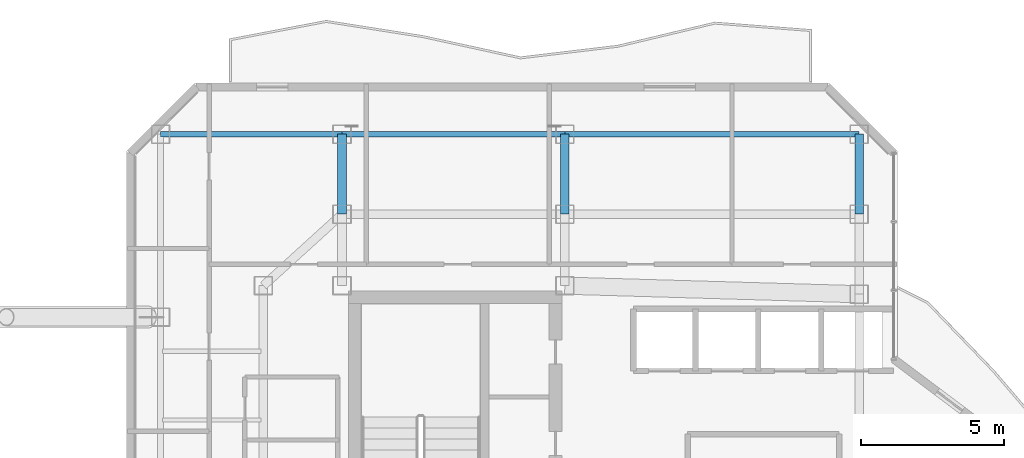
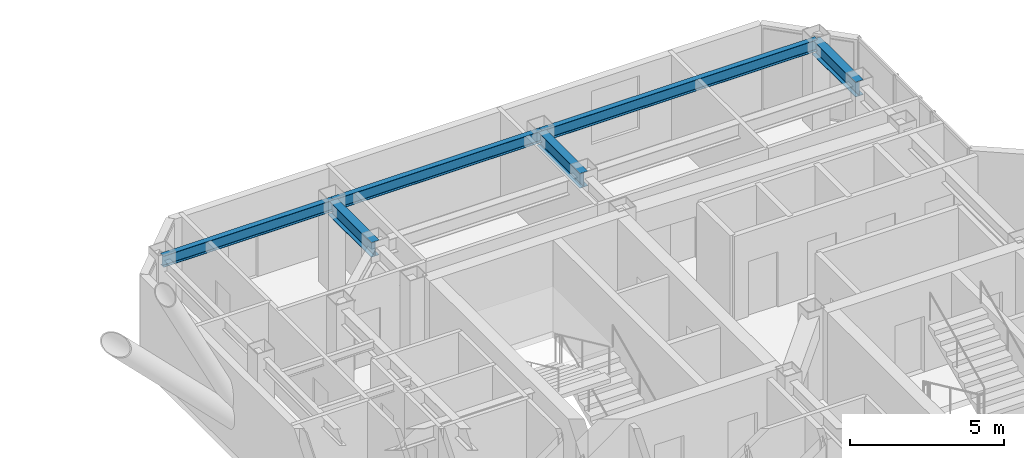
# One storey, part 12 of 21: 6 beams.
"""IFC4 building model written with IfcOpenShell, lengths in metres."""

from ifc_helpers import new_model, si_unit, direction, frame, origin, origin_2d, place, context, subcontext, project, spatial, i_section, extrude, material, material_profile, profile_set, type_object, element, save


model = new_model("IFC4")

# Units and contexts
model_context = context("Model", 3, precision=1e-05, world=origin(), true_north=direction((0.0, 1.0)))
body_context = subcontext(model_context, "Body", "Model", "MODEL_VIEW")
ifc_project = project(units=[si_unit("LENGTHUNIT", "METRE"), si_unit("AREAUNIT", "SQUARE_METRE"), si_unit("VOLUMEUNIT", "CUBIC_METRE"), si_unit("PLANEANGLEUNIT", "RADIAN"), si_unit("MASSUNIT", "GRAM", prefix="KILO")], contexts=[model_context])

# Site, building, storey
site_placement = place(None, origin())
site = spatial("IfcSite", under=ifc_project, at=site_placement, CompositionType="ELEMENT")
building_placement = place(site_placement, origin())
building = spatial("IfcBuilding", under=site, at=building_placement, Name="Hatsunagi Terrace Concourse", CompositionType="ELEMENT")
storey_placement = place(building_placement, frame((0.0, 0.0, 246.75)))
storey = spatial("IfcBuildingStorey", under=building, at=storey_placement, Name="L65", CompositionType="ELEMENT", Elevation=246.75)

# Beams
ifc_material_1 = material(Name="Steel SN490B", Category="steel")
ifc_material_profile_1 = material_profile(ifc_material_1, i_section(OverallWidth=0.300048828125, OverallDepth=0.587890625, WebThickness=0.011962890625, FlangeThickness=0.02001953125, FilletRadius=0.01806640625, at=origin_2d()), Name="H-588x300x12x20")
ifc_profile_set_1 = profile_set([ifc_material_profile_1], Name="Steel SN490B")
beam_type_1 = type_object("IfcBeamType", Name="OfficeHighGirder_H_588x300", PredefinedType="BEAM", material=ifc_profile_set_1)
for number, where, z_axis, x_axis, name in (
    (1, (25.550048828125, 45.800048828125, 3.055908203125), (0.0, 1.0, 0.0), (-1.0, 0.0, 0.0), "Beam G-06 BM-L65-KN-WN4"),
    (2, (33.35009765625, 45.800048828125, 3.055908203125), (0.0, 1.0, 0.0), (-1.0, 0.0, 0.0), "Beam G-06 BM-L65-KN-WN5"),
    (3, (43.64990234375, 45.800048828125, 3.055908203125), (0.0, 1.0, 0.0), (-1.0, 0.0, 0.0), "Beam G-06 BM-L65-KN-WN6"),
):
    element("IfcBeam", number, at=place(storey_placement, frame(where, z_axis=z_axis, x_axis=x_axis)), inside=storey, type_object=beam_type_1, Name=name, PredefinedType="BEAM", context=body_context, shape_type="SweptSolid", body=[
        extrude(i_section(OverallWidth=0.300048828125, OverallDepth=0.587890625, WebThickness=0.011962890625, FlangeThickness=0.02001953125, FilletRadius=0.01806640625, at=origin_2d()), origin(), (0.0, 0.0, 1.0), 2.800048828125),
    ])
ifc_material_2 = material(Name="Steel SN490B", Category="steel")
ifc_material_profile_2 = material_profile(ifc_material_2, i_section(OverallWidth=0.199951171875, OverallDepth=0.449951171875, WebThickness=0.009033203125, FlangeThickness=0.013916015625, FilletRadius=0.01611328125, at=origin_2d()), Name="H-450x200x9x14")
ifc_profile_set_2 = profile_set([ifc_material_profile_2], Name="Steel SN490B")
beam_type_2 = type_object("IfcBeamType", Name="PerimeterSpandrel_H_450x200", PredefinedType="SPANDREL", material=ifc_profile_set_2)
beam_1_placement = place(storey_placement, frame((19.199951171875, 48.60009765625, 3.125), z_axis=(1.0, 0.0, 0.0), x_axis=(0.0, 1.0, 0.0)))
element("IfcBeam", 4, at=beam_1_placement, inside=storey, type_object=beam_type_2, Name="Beam SP-02 BM-L65-WN-19", PredefinedType="SPANDREL", context=body_context, shape_type="SweptSolid", body=[
    extrude(i_section(OverallWidth=0.199951171875, OverallDepth=0.449951171875, WebThickness=0.009033203125, FlangeThickness=0.013916015625, FilletRadius=0.01611328125, at=origin_2d()), origin(), (0.0, 0.0, 1.0), 6.35009765625),
])
beam_2_placement = place(storey_placement, frame((25.550048828125, 48.60009765625, 3.125), z_axis=(1.0, 0.0, 0.0), x_axis=(0.0, 1.0, 0.0)))
element("IfcBeam", 5, at=beam_2_placement, inside=storey, type_object=beam_type_2, Name="Beam SP-02 BM-L65-WN-25", PredefinedType="SPANDREL", context=body_context, shape_type="SweptSolid", body=[
    extrude(i_section(OverallWidth=0.199951171875, OverallDepth=0.449951171875, WebThickness=0.009033203125, FlangeThickness=0.013916015625, FilletRadius=0.01611328125, at=origin_2d()), origin(), (0.0, 0.0, 1.0), 7.800048828125),
])
beam_3_placement = place(storey_placement, frame((33.35009765625, 48.60009765625, 3.125), z_axis=(1.0, 0.0, 0.0), x_axis=(0.0, 1.0, 0.0)))
element("IfcBeam", 6, at=beam_3_placement, inside=storey, type_object=beam_type_2, Name="Beam SP-02 BM-L65-WN-33", PredefinedType="SPANDREL", context=body_context, shape_type="SweptSolid", body=[
    extrude(i_section(OverallWidth=0.199951171875, OverallDepth=0.449951171875, WebThickness=0.009033203125, FlangeThickness=0.013916015625, FilletRadius=0.01611328125, at=origin_2d()), origin(), (0.0, 0.0, 1.0), 10.2998046875),
])

save(model, "model.ifc")
